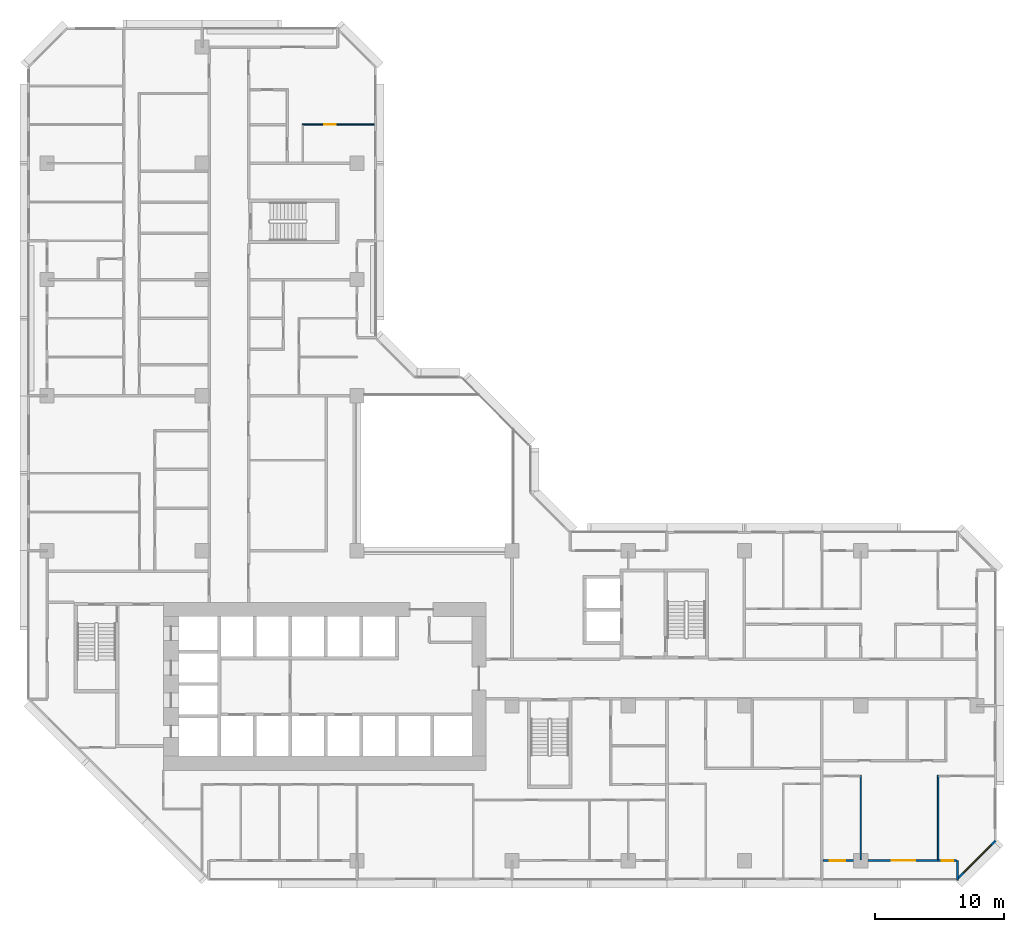
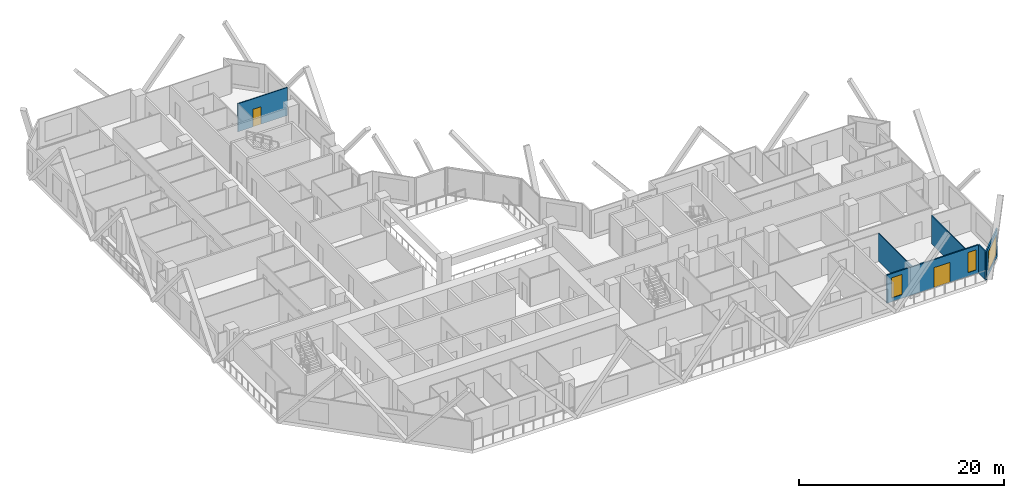
# One storey, part 11 of 15: 6 walls, 3 windows, 2 doors, 5 openings.
"""IFC4 building model written with IfcOpenShell, lengths in metres."""

from ifc_helpers import new_model, si_unit, direction, frame, frame_2d, origin, place, context, subcontext, project, spatial, rectangle, extrude, material, layer, layer_set, type_object, element, fill, save


model = new_model("IFC4")

# Units and contexts
model_context = context("Model", 3, precision=1e-05, world=origin(), true_north=direction((0.0, 1.0)))
body_context = subcontext(model_context, "Body", "Model", "MODEL_VIEW")
ifc_project = project(units=[si_unit("LENGTHUNIT", "METRE"), si_unit("AREAUNIT", "SQUARE_METRE"), si_unit("VOLUMEUNIT", "CUBIC_METRE"), si_unit("PLANEANGLEUNIT", "RADIAN"), si_unit("MASSUNIT", "GRAM", prefix="KILO")], contexts=[model_context])

# Site, building, storey
site_placement = place(None, origin())
site = spatial("IfcSite", under=ifc_project, at=site_placement, CompositionType="ELEMENT")
building_placement = place(site_placement, origin())
building = spatial("IfcBuilding", under=site, at=building_placement, Name="Chenar Terraces", CompositionType="ELEMENT")
storey_placement = place(building_placement, frame((0.0, 0.0, 56.39990234375)))
storey = spatial("IfcBuildingStorey", under=building, at=storey_placement, Name="L11", CompositionType="ELEMENT", Elevation=56.39990234375)

# Wall, openings, windows, door
ifc_material_1 = material(Name="Aluminium framed glazing", Category="aluminium")
ifc_layer_1 = layer(ifc_material_1, 0.14990234375)
ifc_layer_set_1 = layer_set([ifc_layer_1], Name="Aluminium framed glazing")
wall_type_1 = type_object("IfcWallType", Name="Glazed loggia back wall 150", PredefinedType="SOLIDWALL", material=ifc_layer_set_1)
wall_1_placement = place(storey_placement, frame((60.074951171875, 0.0, 0.0), z_axis=(0.0, 0.0, 1.0), x_axis=(1.0, 0.0, 0.0)))
wall_1 = element("IfcWall", 1, at=wall_1_placement, inside=storey, type_object=wall_type_1, Name="Glazed loggia back wall", PredefinedType="SOLIDWALL", context=body_context, shape_type="SweptSolid", body=[
    extrude(rectangle(XDim=10.35009765625, YDim=0.14990234375, at=frame_2d((5.175048828125, 0.0))), origin(), (0.0, 0.0, 1.0), 3.35009765625),
])
opening_1_placement = place(wall_1_placement, frame((0.53759765625, 0.0, 0.449951171875)))
opening_1 = element("IfcOpeningElement", 2, at=opening_1_placement, cuts=wall_1, Name="Opening W120x240", PredefinedType="OPENING", context=body_context, shape_type="SweptSolid", body=[
    extrude(rectangle(XDim=1.199951171875, YDim=2.39990234375, at=frame_2d((0.60009765625, 1.199951171875))), frame((0.0, 0.0849609375, 0.0), z_axis=(0.0, -1.0, 0.0), x_axis=(1.0, 0.0, 0.0)), (0.0, 0.0, 1.0), 0.169921875),
])
opening_2_placement = place(wall_1_placement, frame((5.35009765625, 0.0, 0.0)))
opening_2 = element("IfcOpeningElement", 3, at=opening_2_placement, cuts=wall_1, Name="Opening DL11-G7", PredefinedType="OPENING", context=body_context, shape_type="SweptSolid", body=[
    extrude(rectangle(XDim=1.800048828125, YDim=2.39990234375, at=frame_2d((0.89990234375, 1.199951171875))), frame((0.0, 0.0849609375, 0.0), z_axis=(0.0, -1.0, 0.0), x_axis=(1.0, 0.0, 0.0)), (0.0, 0.0, 1.0), 0.169921875),
])
opening_3_placement = place(wall_1_placement, frame((9.1875, 0.0, 0.449951171875)))
opening_3 = element("IfcOpeningElement", 4, at=opening_3_placement, cuts=wall_1, Name="Opening W90x240", PredefinedType="OPENING", context=body_context, shape_type="SweptSolid", body=[
    extrude(rectangle(XDim=0.89990234375, YDim=2.39990234375, at=frame_2d((0.449951171875, 1.199951171875))), frame((0.0, 0.0849609375, 0.0), z_axis=(0.0, -1.0, 0.0), x_axis=(1.0, 0.0, 0.0)), (0.0, 0.0, 1.0), 0.169921875),
])
ifc_material_2 = material(Name="Low emissivity double glazing, aluminium frame", Category="aluminium")
window_type_1 = type_object("IfcWindowType", Name="Fixed light 1200 x 2400", PartitioningType="SINGLE_PANEL", PredefinedType="WINDOW", material=ifc_material_2)
window_1_placement = place(opening_1_placement, origin())
window_1 = element("IfcWindow", 5, at=window_1_placement, inside=storey, type_object=window_type_1, Name="Window", OverallHeight=2.39990234375, OverallWidth=1.199951171875, PartitioningType="SINGLE_PANEL", PredefinedType="WINDOW", context=body_context, shape_type="SweptSolid", body=[
    extrude(rectangle(XDim=1.199951171875, YDim=2.39990234375, at=frame_2d((0.60009765625, 1.199951171875))), frame((0.0, 0.030029296875, 0.0), z_axis=(0.0, -1.0, 0.0), x_axis=(1.0, 0.0, 0.0)), (0.0, 0.0, 1.0), 0.06005859375),
])
fill(opening_1, window_1)
ifc_material_3 = material(Name="Low emissivity double glazing, aluminium frame", Category="aluminium")
window_type_2 = type_object("IfcWindowType", Name="Fixed light 900 x 2400", PartitioningType="SINGLE_PANEL", PredefinedType="WINDOW", material=ifc_material_3)
window_2_placement = place(opening_3_placement, origin())
window_2 = element("IfcWindow", 6, at=window_2_placement, inside=storey, type_object=window_type_2, Name="Window", OverallHeight=2.39990234375, OverallWidth=0.89990234375, PartitioningType="SINGLE_PANEL", PredefinedType="WINDOW", context=body_context, shape_type="SweptSolid", body=[
    extrude(rectangle(XDim=0.89990234375, YDim=2.39990234375, at=frame_2d((0.449951171875, 1.199951171875))), frame((0.0, 0.030029296875, 0.0), z_axis=(0.0, -1.0, 0.0), x_axis=(1.0, 0.0, 0.0)), (0.0, 0.0, 1.0), 0.06005859375),
])
fill(opening_3, window_2)
ifc_material_4 = material(Name="Low emissivity double glazing, aluminium frame", Category="aluminium")
door_type_1 = type_object("IfcDoorType", Name="Loggia glazed double door 1800 x 2400", OperationType="DOUBLE_DOOR_SINGLE_SWING", PredefinedType="DOOR", material=ifc_material_4)
door_1_placement = place(opening_2_placement, frame((1.800048828125, 0.0, 0.0), z_axis=(0.0, 0.0, 1.0), x_axis=(-1.0, 0.0, 0.0)))
door_1 = element("IfcDoor", 7, at=door_1_placement, inside=storey, type_object=door_type_1, Name="Loggia glazed door", OperationType="DOUBLE_DOOR_SINGLE_SWING", OverallHeight=2.39990234375, OverallWidth=1.800048828125, PredefinedType="DOOR", context=body_context, shape_type="SweptSolid", body=[
    extrude(rectangle(XDim=1.800048828125, YDim=2.39990234375, at=frame_2d((0.89990234375, 1.199951171875))), frame((0.0, 0.02490234375, 0.0), z_axis=(0.0, -1.0, 0.0), x_axis=(1.0, 0.0, 0.0)), (0.0, 0.0, 1.0), 0.050048828125),
])
fill(opening_2, door_1)

# Wall, opening, door
ifc_material_5 = material(Name="Gypsum board on steel studs", Category="steel")
ifc_layer_2 = layer(ifc_material_5, 0.10009765625)
ifc_layer_set_2 = layer_set([ifc_layer_2], Name="Gypsum board on steel studs")
wall_type_2 = type_object("IfcWallType", Name="Gypsum partition 100", PredefinedType="PARTITIONING", material=ifc_layer_set_2)
wall_2_placement = place(storey_placement, frame((19.75, 57.0, 0.0), z_axis=(0.0, 0.0, 1.0), x_axis=(1.0, 0.0, 0.0)))
wall_2 = element("IfcWall", 8, at=wall_2_placement, inside=storey, type_object=wall_type_2, Name="Partition L11-054", PredefinedType="PARTITIONING", context=body_context, shape_type="SweptSolid", body=[
    extrude(rectangle(XDim=5.60009765625, YDim=0.10009765625, at=frame_2d((2.800048828125, 0.0))), origin(), (0.0, 0.0, 1.0), 3.35009765625),
])
opening_4_placement = place(wall_2_placement, frame((1.699951171875, 0.0, 0.0)))
opening_4 = element("IfcOpeningElement", 9, at=opening_4_placement, cuts=wall_2, Name="Opening DL11-29", PredefinedType="OPENING", context=body_context, shape_type="SweptSolid", body=[
    extrude(rectangle(XDim=0.89990234375, YDim=2.10009765625, at=frame_2d((0.449951171875, 1.050048828125))), frame((0.0, 0.06005859375, 0.0), z_axis=(0.0, -1.0, 0.0), x_axis=(1.0, 0.0, 0.0)), (0.0, 0.0, 1.0), 0.1201171875),
])
ifc_material_6 = material(Name="Veneered timber door leaf", Category="wood")
door_type_2 = type_object("IfcDoorType", Name="Door 900 x 2100", OperationType="SINGLE_SWING_LEFT", PredefinedType="DOOR", material=ifc_material_6)
door_2_placement = place(opening_4_placement, frame((0.89990234375, 0.0, 0.0), z_axis=(0.0, 0.0, 1.0), x_axis=(-1.0, 0.0, 0.0)))
door_2 = element("IfcDoor", 10, at=door_2_placement, inside=storey, type_object=door_type_2, Name="Door DL11-29", OperationType="SINGLE_SWING_RIGHT", OverallHeight=2.10009765625, OverallWidth=0.89990234375, PredefinedType="DOOR", context=body_context, shape_type="SweptSolid", body=[
    extrude(rectangle(XDim=0.89990234375, YDim=2.10009765625, at=frame_2d((0.449951171875, 1.050048828125))), frame((0.0, 0.02490234375, 0.0), z_axis=(0.0, -1.0, 0.0), x_axis=(1.0, 0.0, 0.0)), (0.0, 0.0, 1.0), 0.050048828125),
])
fill(opening_4, door_2)

# Walls
for number, where, z_axis, x_axis, name in (
    (11, (63.0, 0.073974609375, 0.0), (0.0, 0.0, 1.0), (0.0, 1.0, 0.0), "Partition L11-090"),
    (12, (69.0, 0.073974609375, 0.0), (0.0, 0.0, 1.0), (0.0, 1.0, 0.0), "Partition L11-096"),
):
    element("IfcWall", number, at=place(storey_placement, frame(where, z_axis=z_axis, x_axis=x_axis)), inside=storey, type_object=wall_type_2, Name=name, PredefinedType="PARTITIONING", context=body_context, shape_type="SweptSolid", body=[
        extrude(rectangle(XDim=6.526123046875, YDim=0.10009765625, at=frame_2d((3.26318359375, 0.0))), origin(), (0.0, 0.0, 1.0), 3.35009765625),
    ])
ifc_material_7 = material(Name="Terracotta cladding on insulated backing", Category="masonry")
ifc_layer_3 = layer(ifc_material_7, 0.14990234375)
ifc_layer_set_3 = layer_set([ifc_layer_3], Name="Terracotta cladding on insulated backing")
wall_type_3 = type_object("IfcWallType", Name="Loggia return wall 150", PredefinedType="SOLIDWALL", material=ifc_layer_set_3)
wall_3_placement = place(storey_placement, frame((70.5, -1.5, 0.0), z_axis=(0.0, 0.0, 1.0), x_axis=(0.0, 1.0, 0.0)))
element("IfcWall", 13, at=wall_3_placement, inside=storey, type_object=wall_type_3, Name="Loggia return wall", PredefinedType="SOLIDWALL", context=body_context, shape_type="SweptSolid", body=[
    extrude(rectangle(XDim=1.5, YDim=0.14990234375, at=frame_2d((0.75, 0.0))), origin(), (0.0, 0.0, 1.0), 3.35009765625),
])

# Wall, opening, window
ifc_material_8 = material(Name="Terracotta cladding on insulated backing", Category="masonry")
ifc_layer_4 = layer(ifc_material_8, 0.14990234375)
ifc_layer_set_4 = layer_set([ifc_layer_4], Name="Terracotta cladding on insulated backing")
wall_type_4 = type_object("IfcWallType", Name="Terracotta rainscreen wall 150", PredefinedType="SOLIDWALL", material=ifc_layer_set_4)
wall_4_placement = place(storey_placement, frame((70.447021484375, -1.447021484375, 0.0), z_axis=(0.0, 0.0, 1.0), x_axis=(0.707106781187, 0.707106781187, 0.0)))
wall_4 = element("IfcWall", 14, at=wall_4_placement, inside=storey, type_object=wall_type_4, Name="Terracotta rainscreen wall", PredefinedType="SOLIDWALL", context=body_context, shape_type="SweptSolid", body=[
    extrude(rectangle(XDim=4.24267578125, YDim=0.14990234375, at=frame_2d((2.121337890625, 0.0))), origin(), (0.0, 0.0, 1.0), 3.35009765625),
])
opening_5_placement = place(wall_4_placement, frame((0.744384765625, 0.0, 0.449951171875)))
opening_5 = element("IfcOpeningElement", 15, at=opening_5_placement, cuts=wall_4, Name="Opening W300x240", PredefinedType="OPENING", context=body_context, shape_type="SweptSolid", body=[
    extrude(rectangle(XDim=3.0, YDim=2.39990234375, at=frame_2d((1.5, 1.199951171875))), frame((0.0, 0.0849609375, 0.0), z_axis=(0.0, -1.0, 0.0), x_axis=(1.0, 0.0, 0.0)), (0.0, 0.0, 1.0), 0.169921875),
])
ifc_material_9 = material(Name="Low emissivity double glazing, aluminium frame", Category="aluminium")
window_type_3 = type_object("IfcWindowType", Name="Fixed light 3000 x 2400", PartitioningType="SINGLE_PANEL", PredefinedType="WINDOW", material=ifc_material_9)
window_3_placement = place(opening_5_placement, origin())
window_3 = element("IfcWindow", 16, at=window_3_placement, inside=storey, type_object=window_type_3, Name="Window", OverallHeight=2.39990234375, OverallWidth=3.0, PartitioningType="SINGLE_PANEL", PredefinedType="WINDOW", context=body_context, shape_type="SweptSolid", body=[
    extrude(rectangle(XDim=3.0, YDim=2.39990234375, at=frame_2d((1.5, 1.199951171875))), frame((0.0, 0.030029296875, 0.0), z_axis=(0.0, -1.0, 0.0), x_axis=(1.0, 0.0, 0.0)), (0.0, 0.0, 1.0), 0.06005859375),
])
fill(opening_5, window_3)

save(model, "model.ifc")
